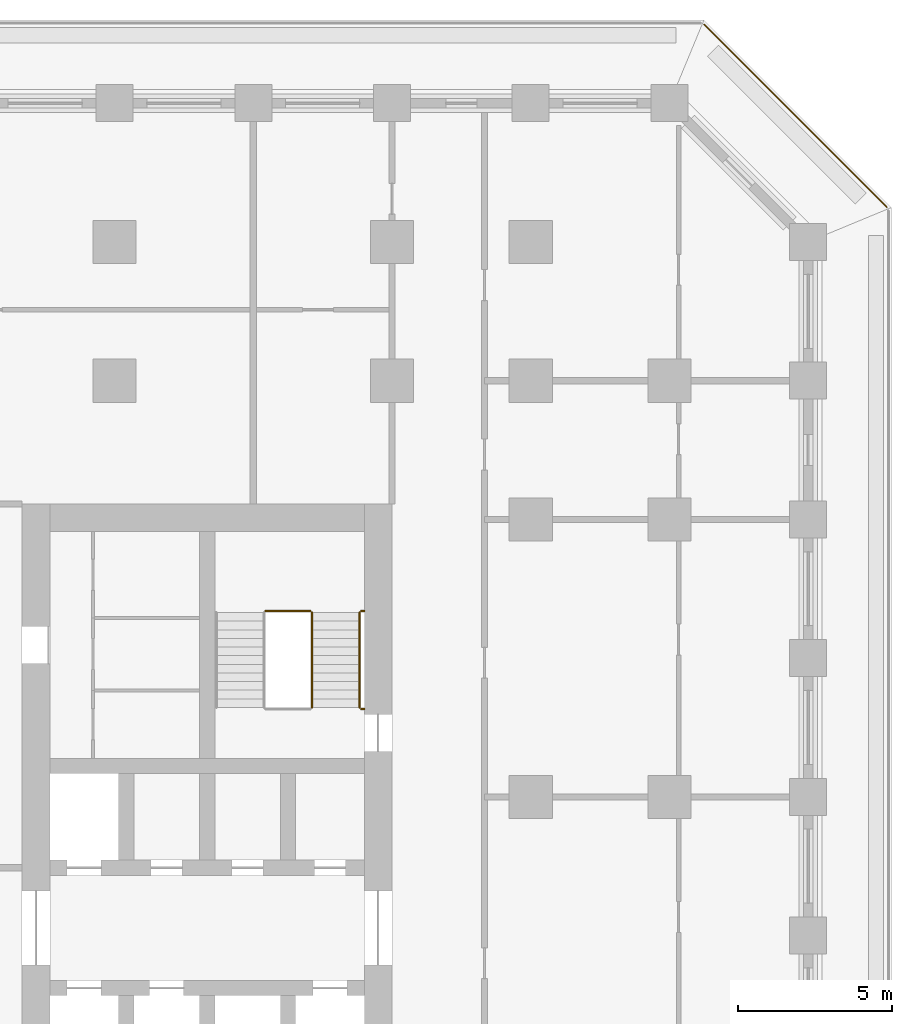
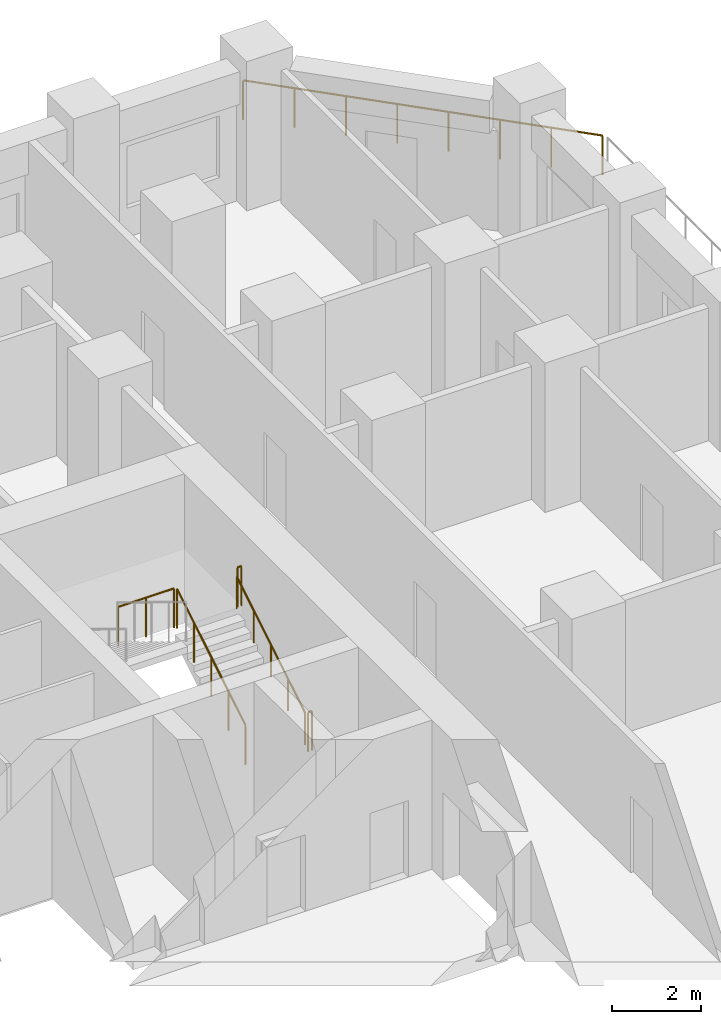
# One storey, part 16 of 17: 6 railings.
"""IFC4 building model written with IfcOpenShell, lengths in metres."""

from ifc_helpers import new_model, si_unit, direction, frame, origin, origin_2d, place, context, subcontext, project, spatial, circle, extrude, material, type_object, element, save


model = new_model("IFC4")

# Units and contexts
model_context = context("Model", 3, precision=1e-05, world=origin(), true_north=direction((0.0, 1.0)))
body_context = subcontext(model_context, "Body", "Model", "MODEL_VIEW")
ifc_project = project(units=[si_unit("LENGTHUNIT", "METRE"), si_unit("AREAUNIT", "SQUARE_METRE"), si_unit("VOLUMEUNIT", "CUBIC_METRE"), si_unit("PLANEANGLEUNIT", "RADIAN"), si_unit("MASSUNIT", "GRAM", prefix="KILO")], contexts=[model_context])

# Site, building, storey
site_placement = place(None, origin())
site = spatial("IfcSite", under=ifc_project, at=site_placement, CompositionType="ELEMENT")
building_placement = place(site_placement, origin())
building = spatial("IfcBuilding", under=site, at=building_placement, Name="Corbel Stack Research Tower", CompositionType="ELEMENT")
storey_placement = place(building_placement, frame((0.0, 0.0, 94.300048828125)))
storey = spatial("IfcBuildingStorey", under=building, at=storey_placement, Name="L21", CompositionType="ELEMENT", Elevation=94.300048828125)

# Railings
ifc_material_1 = material(Name="Steel S355", Category="steel")
railing_type_1 = type_object("IfcRailingType", Name="Stair guard 1100", PredefinedType="GUARDRAIL", material=ifc_material_1)
railing_1_placement = place(storey_placement, frame((15.39990234375, 11.89990234375, 0.1708984375)))
element("IfcRailing", 1, at=railing_1_placement, inside=storey, type_object=railing_type_1, Name="L21 ST-E2 stair guard 1", PredefinedType="GUARDRAIL", context=body_context, shape_type="SweptSolid", body=[
    extrude(circle(Radius=0.02392578125, at=origin_2d()), frame((0.0, 0.0, 1.076171875), z_axis=(0.0, 0.853666305674, 0.52082035152), x_axis=(-1.0, 0.0, 0.0)), (0.0, 0.0, 1.0), 3.608154296875),
    extrude(circle(Radius=0.02099609375, at=origin_2d()), origin(), (0.0, 0.0, 1.0), 1.052001953125),
    extrude(circle(Radius=0.02099609375, at=origin_2d()), frame((0.0, 0.77001953125, 0.4697265625)), (0.0, 0.0, 1.0), 1.052001953125),
    extrude(circle(Radius=0.02099609375, at=origin_2d()), frame((0.0, 1.5400390625, 0.939453125)), (0.0, 0.0, 1.0), 1.052001953125),
    extrude(circle(Radius=0.02099609375, at=origin_2d()), frame((0.0, 2.31005859375, 1.409423828125)), (0.0, 0.0, 1.0), 1.052001953125),
    extrude(circle(Radius=0.02099609375, at=origin_2d()), frame((0.0, 3.080078125, 1.879150390625)), (0.0, 0.0, 1.0), 1.052001953125),
])
railing_2_placement = place(storey_placement, frame((15.35009765625, 15.030029296875, 2.050048828125)))
element("IfcRailing", 2, at=railing_2_placement, inside=storey, type_object=railing_type_1, Name="L21 ST-E2 stair guard 2", PredefinedType="GUARDRAIL", context=body_context, shape_type="SweptSolid", body=[
    extrude(circle(Radius=0.02392578125, at=origin_2d()), frame((0.0, 0.0, 1.076171875), z_axis=(-1.0, 0.0, 0.0), x_axis=(0.0, -1.0, 0.0)), (0.0, 0.0, 1.0), 1.4501953125),
    extrude(circle(Radius=0.02099609375, at=origin_2d()), origin(), (0.0, 0.0, 1.0), 1.052001953125),
    extrude(circle(Radius=0.02099609375, at=origin_2d()), frame((-0.72509765625, 0.0, 0.0)), (0.0, 0.0, 1.0), 1.052001953125),
    extrude(circle(Radius=0.02099609375, at=origin_2d()), frame((-1.4501953125, 0.0, 0.0)), (0.0, 0.0, 1.0), 1.052001953125),
])
for number, where, name in (
    (3, (17.10009765625, 15.030029296875, 2.050048828125), "L21 ST-E2 stair guard 3"),
    (4, (17.10009765625, 11.85009765625, 0.0), "L21 ST-E2 stair guard 6"),
):
    element("IfcRailing", number, at=place(storey_placement, frame(where)), inside=storey, type_object=railing_type_1, Name=name, PredefinedType="GUARDRAIL", context=body_context, shape_type="SweptSolid", body=[
        extrude(circle(Radius=0.02392578125, at=origin_2d()), frame((0.0, 0.0, 1.076171875), z_axis=(-1.0, 0.0, 0.0), x_axis=(0.0, -1.0, 0.0)), (0.0, 0.0, 1.0), 0.10009765625),
        extrude(circle(Radius=0.02099609375, at=origin_2d()), origin(), (0.0, 0.0, 1.0), 1.052001953125),
        extrude(circle(Radius=0.02099609375, at=origin_2d()), frame((-0.10009765625, 0.0, 0.0)), (0.0, 0.0, 1.0), 1.052001953125),
    ])
ifc_material_2 = material(Name="Steel S355", Category="steel")
railing_type_2 = type_object("IfcRailingType", Name="Stair handrail 900", PredefinedType="HANDRAIL", material=ifc_material_2)
railing_3_placement = place(storey_placement, frame((16.949951171875, 11.89990234375, 0.1708984375)))
element("IfcRailing", 5, at=railing_3_placement, inside=storey, type_object=railing_type_2, Name="L21 ST-E2 stair handrail 1", PredefinedType="HANDRAIL", context=body_context, shape_type="SweptSolid", body=[
    extrude(circle(Radius=0.02392578125, at=origin_2d()), frame((0.0, 0.0, 0.8759765625), z_axis=(0.0, 0.853666305674, 0.52082035152), x_axis=(-1.0, 0.0, 0.0)), (0.0, 0.0, 1.0), 3.608154296875),
    extrude(circle(Radius=0.02099609375, at=origin_2d()), origin(), (0.0, 0.0, 1.0), 0.851806640625),
    extrude(circle(Radius=0.02099609375, at=origin_2d()), frame((0.0, 0.77001953125, 0.4697265625)), (0.0, 0.0, 1.0), 0.851806640625),
    extrude(circle(Radius=0.02099609375, at=origin_2d()), frame((0.0, 1.5400390625, 0.939453125)), (0.0, 0.0, 1.0), 0.851806640625),
    extrude(circle(Radius=0.02099609375, at=origin_2d()), frame((0.0, 2.31005859375, 1.409423828125)), (0.0, 0.0, 1.0), 0.851806640625),
    extrude(circle(Radius=0.02099609375, at=origin_2d()), frame((0.0, 3.080078125, 1.879150390625)), (0.0, 0.0, 1.0), 0.851806640625),
])
ifc_material_3 = material(Name="Powder-coated steel guard", Category="steel")
railing_type_3 = type_object("IfcRailingType", Name="Steel and glass guard 1100", PredefinedType="GUARDRAIL", material=ifc_material_3)
railing_4_placement = place(storey_placement, frame((34.04931640625, 28.127685546875, 0.0)))
element("IfcRailing", 6, at=railing_4_placement, inside=storey, type_object=railing_type_3, Name="Loggia guard L21 NE", PredefinedType="GUARDRAIL", context=body_context, shape_type="SweptSolid", body=[
    extrude(circle(Radius=0.02392578125, at=origin_2d()), frame((0.0, 0.0, 1.076171875), z_axis=(-0.707106781187, 0.707106781187, 0.0), x_axis=(-0.707106781187, -0.707106781187, 0.0)), (0.0, 0.0, 1.0), 8.37451171875),
    extrude(circle(Radius=0.02099609375, at=origin_2d()), origin(), (0.0, 0.0, 1.0), 1.052001953125),
    extrude(circle(Radius=0.02099609375, at=origin_2d()), frame((-0.845947265625, 0.845947265625, 0.0)), (0.0, 0.0, 1.0), 1.052001953125),
    extrude(circle(Radius=0.02099609375, at=origin_2d()), frame((-1.69189453125, 1.69189453125, 0.0)), (0.0, 0.0, 1.0), 1.052001953125),
    extrude(circle(Radius=0.02099609375, at=origin_2d()), frame((-2.537841796875, 2.537841796875, 0.0)), (0.0, 0.0, 1.0), 1.052001953125),
    extrude(circle(Radius=0.02099609375, at=origin_2d()), frame((-3.3837890625, 3.3837890625, 0.0)), (0.0, 0.0, 1.0), 1.052001953125),
    extrude(circle(Radius=0.02099609375, at=origin_2d()), frame((-4.229736328125, 4.229736328125, 0.0)), (0.0, 0.0, 1.0), 1.052001953125),
    extrude(circle(Radius=0.02099609375, at=origin_2d()), frame((-5.07568359375, 5.07568359375, 0.0)), (0.0, 0.0, 1.0), 1.052001953125),
    extrude(circle(Radius=0.02099609375, at=origin_2d()), frame((-5.921630859375, 5.921630859375, 0.0)), (0.0, 0.0, 1.0), 1.052001953125),
])

save(model, "model.ifc")
